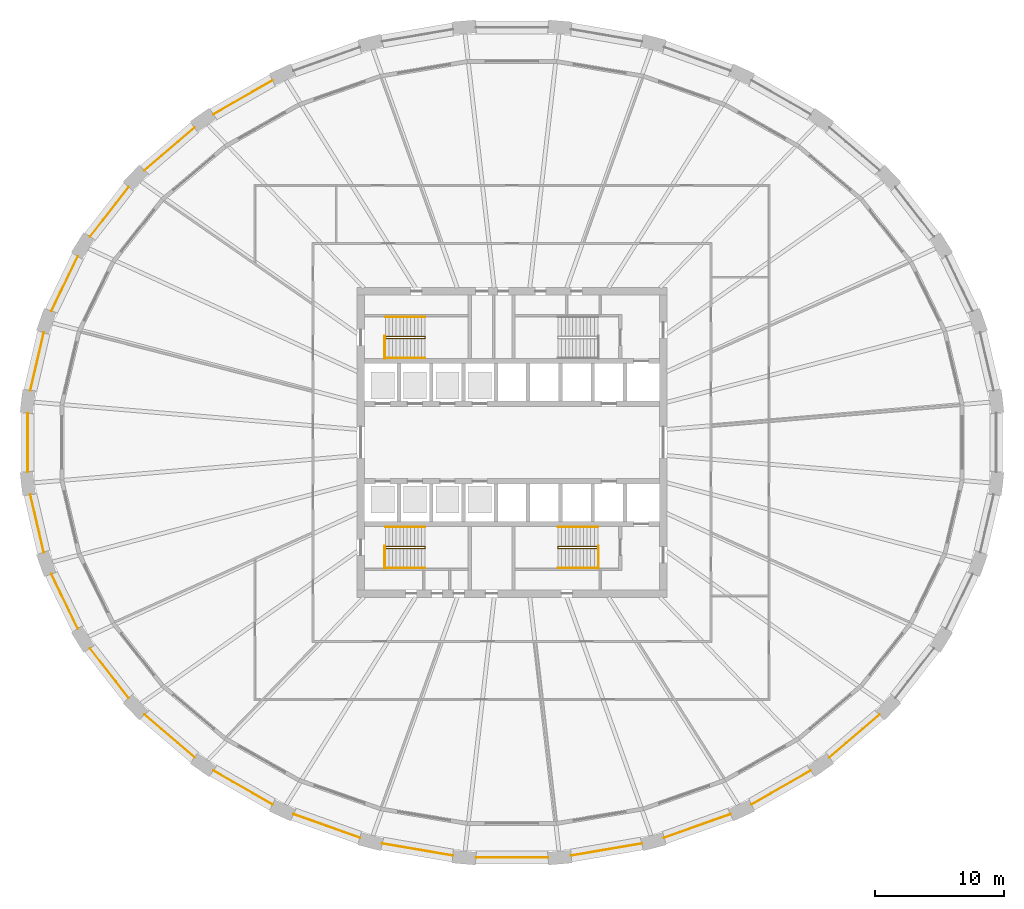
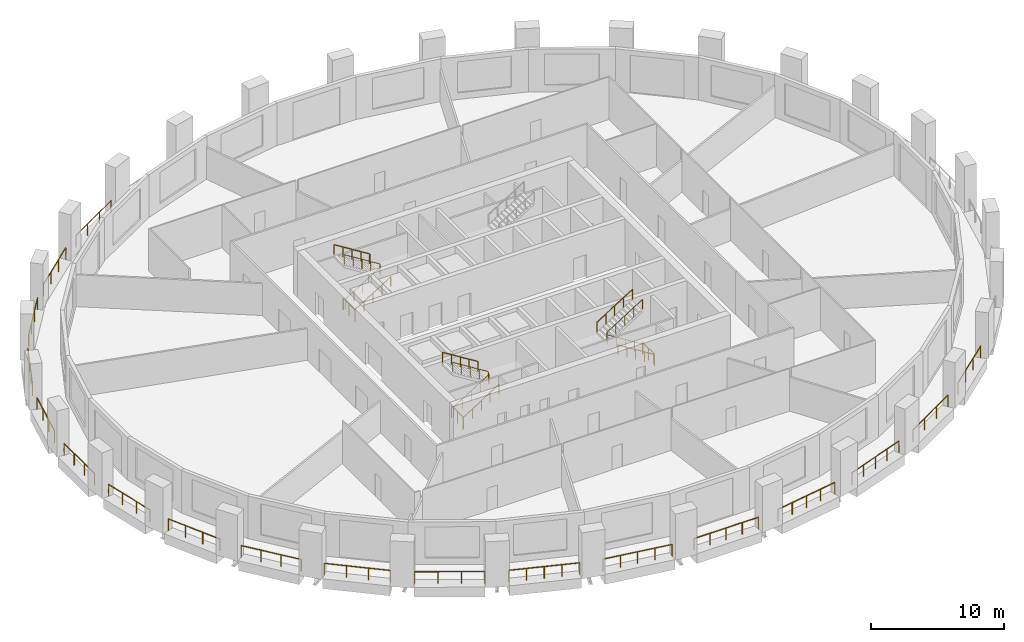
# One storey, part 9 of 11: 30 railings.
"""IFC4 building model written with IfcOpenShell, lengths in metres."""

from ifc_helpers import new_model, si_unit, direction, frame, origin, origin_2d, place, context, subcontext, project, spatial, circle, extrude, material, type_object, element, save


model = new_model("IFC4")

# Units and contexts
model_context = context("Model", 3, precision=1e-05, world=origin(), true_north=direction((0.0, 1.0)))
body_context = subcontext(model_context, "Body", "Model", "MODEL_VIEW")
ifc_project = project(units=[si_unit("LENGTHUNIT", "METRE"), si_unit("AREAUNIT", "SQUARE_METRE"), si_unit("VOLUMEUNIT", "CUBIC_METRE"), si_unit("PLANEANGLEUNIT", "RADIAN"), si_unit("MASSUNIT", "GRAM", prefix="KILO")], contexts=[model_context])

# Site, building, storey
site_placement = place(None, origin())
site = spatial("IfcSite", under=ifc_project, at=site_placement, CompositionType="ELEMENT")
building_placement = place(site_placement, origin())
building = spatial("IfcBuilding", under=site, at=building_placement, Name="Halqa Exchange Tower", CompositionType="ELEMENT")
storey_placement = place(building_placement, frame((0.0, 0.0, 36.10009765625)))
storey = spatial("IfcBuildingStorey", under=building, at=storey_placement, Name="L07", CompositionType="ELEMENT", Elevation=36.10009765625)

# Railings
ifc_material = material(Name="Stainless steel", Category="steel")
railing_type_1 = type_object("IfcRailingType", Name="Guard 1100 stainless steel", PredefinedType="GUARDRAIL", material=ifc_material)
railing_1_placement = place(storey_placement, frame((-18.53271484375, 28.01953125, 0.0)))
element("IfcRailing", 1, at=railing_1_placement, inside=storey, type_object=railing_type_1, Name="Loggia guard 11", PredefinedType="GUARDRAIL", context=body_context, shape_type="SweptSolid", body=[
    extrude(circle(Radius=0.02392578125, at=origin_2d()), frame((0.0, 0.0, 1.076171875), z_axis=(-0.867761260973, -0.496981281292, 0.0), x_axis=(0.496981281292, -0.867761260973, 0.0)), (0.0, 0.0, 1.0), 5.2734375),
    extrude(circle(Radius=0.02099609375, at=origin_2d()), origin(), (0.0, 0.0, 1.0), 1.052001953125),
    extrude(circle(Radius=0.02099609375, at=origin_2d()), frame((-1.525390625, -0.87353515625, 0.0)), (0.0, 0.0, 1.0), 1.052001953125),
    extrude(circle(Radius=0.02099609375, at=origin_2d()), frame((-3.05078125, -1.747314453125, 0.0)), (0.0, 0.0, 1.0), 1.052001953125),
    extrude(circle(Radius=0.02099609375, at=origin_2d()), frame((-4.576171875, -2.620849609375, 0.0)), (0.0, 0.0, 1.0), 1.052001953125),
])
railing_2_placement = place(storey_placement, frame((-24.5732421875, 24.36572265625, 0.0)))
element("IfcRailing", 2, at=railing_2_placement, inside=storey, type_object=railing_type_1, Name="Loggia guard 12", PredefinedType="GUARDRAIL", context=body_context, shape_type="SweptSolid", body=[
    extrude(circle(Radius=0.02392578125, at=origin_2d()), frame((0.0, 0.0, 1.076171875), z_axis=(-0.759259997871, -0.650787412012, 0.0), x_axis=(0.650787412012, -0.759259997871, 0.0)), (0.0, 0.0, 1.0), 5.075439453125),
    extrude(circle(Radius=0.02099609375, at=origin_2d()), origin(), (0.0, 0.0, 1.0), 1.052001953125),
    extrude(circle(Radius=0.02099609375, at=origin_2d()), frame((-1.284423828125, -1.10107421875, 0.0)), (0.0, 0.0, 1.0), 1.052001953125),
    extrude(circle(Radius=0.02099609375, at=origin_2d()), frame((-2.569091796875, -2.201904296875, 0.0)), (0.0, 0.0, 1.0), 1.052001953125),
    extrude(circle(Radius=0.02099609375, at=origin_2d()), frame((-3.853515625, -3.302978515625, 0.0)), (0.0, 0.0, 1.0), 1.052001953125),
])
railing_3_placement = place(storey_placement, frame((-29.663330078125, 19.767333984375, 0.0)))
element("IfcRailing", 3, at=railing_3_placement, inside=storey, type_object=railing_type_1, Name="Loggia guard 13", PredefinedType="GUARDRAIL", context=body_context, shape_type="SweptSolid", body=[
    extrude(circle(Radius=0.02392578125, at=origin_2d()), frame((0.0, 0.0, 1.076171875), z_axis=(-0.614779979903, -0.788698660016, 0.0), x_axis=(0.788698660016, -0.614779979903, 0.0)), (0.0, 0.0, 1.0), 4.87109375),
    extrude(circle(Radius=0.02099609375, at=origin_2d()), origin(), (0.0, 0.0, 1.0), 1.052001953125),
    extrude(circle(Radius=0.02099609375, at=origin_2d()), frame((-0.998291015625, -1.280517578125, 0.0)), (0.0, 0.0, 1.0), 1.052001953125),
    extrude(circle(Radius=0.02099609375, at=origin_2d()), frame((-1.996337890625, -2.561279296875, 0.0)), (0.0, 0.0, 1.0), 1.052001953125),
    extrude(circle(Radius=0.02099609375, at=origin_2d()), frame((-2.99462890625, -3.841796875, 0.0)), (0.0, 0.0, 1.0), 1.052001953125),
])
railing_4_placement = place(storey_placement, frame((-33.602783203125, 14.405517578125, 0.0)))
element("IfcRailing", 4, at=railing_4_placement, inside=storey, type_object=railing_type_1, Name="Loggia guard 14", PredefinedType="GUARDRAIL", context=body_context, shape_type="SweptSolid", body=[
    extrude(circle(Radius=0.02392578125, at=origin_2d()), frame((0.0, 0.0, 1.076171875), z_axis=(-0.435124379728, -0.900370353891, 0.0), x_axis=(0.900370353891, -0.435124379728, 0.0)), (0.0, 0.0, 1.0), 4.69287109375),
    extrude(circle(Radius=0.02099609375, at=origin_2d()), origin(), (0.0, 0.0, 1.0), 1.052001953125),
    extrude(circle(Radius=0.02099609375, at=origin_2d()), frame((-0.6806640625, -1.408447265625, 0.0)), (0.0, 0.0, 1.0), 1.052001953125),
    extrude(circle(Radius=0.02099609375, at=origin_2d()), frame((-1.361328125, -2.81689453125, 0.0)), (0.0, 0.0, 1.0), 1.052001953125),
    extrude(circle(Radius=0.02099609375, at=origin_2d()), frame((-2.0419921875, -4.225341796875, 0.0)), (0.0, 0.0, 1.0), 1.052001953125),
])
railing_5_placement = place(storey_placement, frame((-36.23974609375, 8.4931640625, 0.0)))
element("IfcRailing", 5, at=railing_5_placement, inside=storey, type_object=railing_type_1, Name="Loggia guard 15", PredefinedType="GUARDRAIL", context=body_context, shape_type="SweptSolid", body=[
    extrude(circle(Radius=0.02392578125, at=origin_2d()), frame((0.0, 0.0, 1.076171875), z_axis=(-0.226088077244, -0.974106863403, 0.0), x_axis=(0.974106863403, -0.226088077244, 0.0)), (0.0, 0.0, 1.0), 4.571044921875),
    extrude(circle(Radius=0.02099609375, at=origin_2d()), origin(), (0.0, 0.0, 1.0), 1.052001953125),
    extrude(circle(Radius=0.02099609375, at=origin_2d()), frame((-0.344482421875, -1.484130859375, 0.0)), (0.0, 0.0, 1.0), 1.052001953125),
    extrude(circle(Radius=0.02099609375, at=origin_2d()), frame((-0.68896484375, -2.968505859375, 0.0)), (0.0, 0.0, 1.0), 1.052001953125),
    extrude(circle(Radius=0.02099609375, at=origin_2d()), frame((-1.033447265625, -4.45263671875, 0.0)), (0.0, 0.0, 1.0), 1.052001953125),
])
railing_6_placement = place(storey_placement, frame((-37.4765625, 2.263916015625, 0.0)))
element("IfcRailing", 6, at=railing_6_placement, inside=storey, type_object=railing_type_1, Name="Loggia guard 16", PredefinedType="GUARDRAIL", context=body_context, shape_type="SweptSolid", body=[
    extrude(circle(Radius=0.02392578125, at=origin_2d()), frame((0.0, 0.0, 1.076171875), z_axis=(0.0, -1.0, 0.0), x_axis=(1.0, 0.0, 0.0)), (0.0, 0.0, 1.0), 4.52783203125),
    extrude(circle(Radius=0.02099609375, at=origin_2d()), origin(), (0.0, 0.0, 1.0), 1.052001953125),
    extrude(circle(Radius=0.02099609375, at=origin_2d()), frame((0.0, -1.50927734375, 0.0)), (0.0, 0.0, 1.0), 1.052001953125),
    extrude(circle(Radius=0.02099609375, at=origin_2d()), frame((0.0, -3.0185546875, 0.0)), (0.0, 0.0, 1.0), 1.052001953125),
    extrude(circle(Radius=0.02099609375, at=origin_2d()), frame((0.0, -4.52783203125, 0.0)), (0.0, 0.0, 1.0), 1.052001953125),
])
railing_7_placement = place(storey_placement, frame((-37.273193359375, -4.04052734375, 0.0)))
element("IfcRailing", 7, at=railing_7_placement, inside=storey, type_object=railing_type_1, Name="Loggia guard 17", PredefinedType="GUARDRAIL", context=body_context, shape_type="SweptSolid", body=[
    extrude(circle(Radius=0.02392578125, at=origin_2d()), frame((0.0, 0.0, 1.076171875), z_axis=(0.226088077244, -0.974106863403, 0.0), x_axis=(0.974106863403, 0.226088077244, 0.0)), (0.0, 0.0, 1.0), 4.571044921875),
    extrude(circle(Radius=0.02099609375, at=origin_2d()), origin(), (0.0, 0.0, 1.0), 1.052001953125),
    extrude(circle(Radius=0.02099609375, at=origin_2d()), frame((0.344482421875, -1.484130859375, 0.0)), (0.0, 0.0, 1.0), 1.052001953125),
    extrude(circle(Radius=0.02099609375, at=origin_2d()), frame((0.68896484375, -2.968505859375, 0.0)), (0.0, 0.0, 1.0), 1.052001953125),
    extrude(circle(Radius=0.02099609375, at=origin_2d()), frame((1.033447265625, -4.45263671875, 0.0)), (0.0, 0.0, 1.0), 1.052001953125),
])
railing_8_placement = place(storey_placement, frame((-35.644775390625, -10.18017578125, 0.0)))
element("IfcRailing", 8, at=railing_8_placement, inside=storey, type_object=railing_type_1, Name="Loggia guard 18", PredefinedType="GUARDRAIL", context=body_context, shape_type="SweptSolid", body=[
    extrude(circle(Radius=0.02392578125, at=origin_2d()), frame((0.0, 0.0, 1.076171875), z_axis=(0.435124379728, -0.900370353891, 0.0), x_axis=(0.900370353891, 0.435124379728, 0.0)), (0.0, 0.0, 1.0), 4.69287109375),
    extrude(circle(Radius=0.02099609375, at=origin_2d()), origin(), (0.0, 0.0, 1.0), 1.052001953125),
    extrude(circle(Radius=0.02099609375, at=origin_2d()), frame((0.6806640625, -1.408447265625, 0.0)), (0.0, 0.0, 1.0), 1.052001953125),
    extrude(circle(Radius=0.02099609375, at=origin_2d()), frame((1.361328125, -2.81689453125, 0.0)), (0.0, 0.0, 1.0), 1.052001953125),
    extrude(circle(Radius=0.02099609375, at=origin_2d()), frame((2.0419921875, -4.225341796875, 0.0)), (0.0, 0.0, 1.0), 1.052001953125),
])
railing_9_placement = place(storey_placement, frame((-32.657958984375, -15.925537109375, 0.0)))
element("IfcRailing", 9, at=railing_9_placement, inside=storey, type_object=railing_type_1, Name="Loggia guard 19", PredefinedType="GUARDRAIL", context=body_context, shape_type="SweptSolid", body=[
    extrude(circle(Radius=0.02392578125, at=origin_2d()), frame((0.0, 0.0, 1.076171875), z_axis=(0.614779979903, -0.788698660016, 0.0), x_axis=(0.788698660016, 0.614779979903, 0.0)), (0.0, 0.0, 1.0), 4.87109375),
    extrude(circle(Radius=0.02099609375, at=origin_2d()), origin(), (0.0, 0.0, 1.0), 1.052001953125),
    extrude(circle(Radius=0.02099609375, at=origin_2d()), frame((0.998291015625, -1.280517578125, 0.0)), (0.0, 0.0, 1.0), 1.052001953125),
    extrude(circle(Radius=0.02099609375, at=origin_2d()), frame((1.996337890625, -2.561279296875, 0.0)), (0.0, 0.0, 1.0), 1.052001953125),
    extrude(circle(Radius=0.02099609375, at=origin_2d()), frame((2.99462890625, -3.841796875, 0.0)), (0.0, 0.0, 1.0), 1.052001953125),
])
railing_10_placement = place(storey_placement, frame((-28.4267578125, -21.062744140625, 0.0)))
element("IfcRailing", 10, at=railing_10_placement, inside=storey, type_object=railing_type_1, Name="Loggia guard 20", PredefinedType="GUARDRAIL", context=body_context, shape_type="SweptSolid", body=[
    extrude(circle(Radius=0.02392578125, at=origin_2d()), frame((0.0, 0.0, 1.076171875), z_axis=(0.759259997871, -0.650787412012, 0.0), x_axis=(0.650787412012, 0.759259997871, 0.0)), (0.0, 0.0, 1.0), 5.075439453125),
    extrude(circle(Radius=0.02099609375, at=origin_2d()), origin(), (0.0, 0.0, 1.0), 1.052001953125),
    extrude(circle(Radius=0.02099609375, at=origin_2d()), frame((1.284423828125, -1.10107421875, 0.0)), (0.0, 0.0, 1.0), 1.052001953125),
    extrude(circle(Radius=0.02099609375, at=origin_2d()), frame((2.569091796875, -2.201904296875, 0.0)), (0.0, 0.0, 1.0), 1.052001953125),
    extrude(circle(Radius=0.02099609375, at=origin_2d()), frame((3.853515625, -3.302978515625, 0.0)), (0.0, 0.0, 1.0), 1.052001953125),
])
railing_11_placement = place(storey_placement, frame((-23.10888671875, -25.398681640625, 0.0)))
element("IfcRailing", 11, at=railing_11_placement, inside=storey, type_object=railing_type_1, Name="Loggia guard 21", PredefinedType="GUARDRAIL", context=body_context, shape_type="SweptSolid", body=[
    extrude(circle(Radius=0.02392578125, at=origin_2d()), frame((0.0, 0.0, 1.076171875), z_axis=(0.867761260973, -0.496981281292, 0.0), x_axis=(0.496981281292, 0.867761260973, 0.0)), (0.0, 0.0, 1.0), 5.2734375),
    extrude(circle(Radius=0.02099609375, at=origin_2d()), origin(), (0.0, 0.0, 1.0), 1.052001953125),
    extrude(circle(Radius=0.02099609375, at=origin_2d()), frame((1.525390625, -0.87353515625, 0.0)), (0.0, 0.0, 1.0), 1.052001953125),
    extrude(circle(Radius=0.02099609375, at=origin_2d()), frame((3.05078125, -1.747314453125, 0.0)), (0.0, 0.0, 1.0), 1.052001953125),
    extrude(circle(Radius=0.02099609375, at=origin_2d()), frame((4.576171875, -2.620849609375, 0.0)), (0.0, 0.0, 1.0), 1.052001953125),
])
railing_12_placement = place(storey_placement, frame((-16.90380859375, -28.767822265625, 0.0)))
element("IfcRailing", 12, at=railing_12_placement, inside=storey, type_object=railing_type_1, Name="Loggia guard 22", PredefinedType="GUARDRAIL", context=body_context, shape_type="SweptSolid", body=[
    extrude(circle(Radius=0.02392578125, at=origin_2d()), frame((0.0, 0.0, 1.076171875), z_axis=(0.942367022026, -0.334580925634, 0.0), x_axis=(0.334580925634, 0.942367022026, 0.0)), (0.0, 0.0, 1.0), 5.437744140625),
    extrude(circle(Radius=0.02099609375, at=origin_2d()), origin(), (0.0, 0.0, 1.0), 1.052001953125),
    extrude(circle(Radius=0.02099609375, at=origin_2d()), frame((1.281005859375, -0.454833984375, 0.0)), (0.0, 0.0, 1.0), 1.052001953125),
    extrude(circle(Radius=0.02099609375, at=origin_2d()), frame((2.56201171875, -0.90966796875, 0.0)), (0.0, 0.0, 1.0), 1.052001953125),
    extrude(circle(Radius=0.02099609375, at=origin_2d()), frame((3.84326171875, -1.364501953125, 0.0)), (0.0, 0.0, 1.0), 1.052001953125),
    extrude(circle(Radius=0.02099609375, at=origin_2d()), frame((5.124267578125, -1.8193359375, 0.0)), (0.0, 0.0, 1.0), 1.052001953125),
])
railing_13_placement = place(storey_placement, frame((-10.044189453125, -31.03955078125, 0.0)))
element("IfcRailing", 13, at=railing_13_placement, inside=storey, type_object=railing_type_1, Name="Loggia guard 23", PredefinedType="GUARDRAIL", context=body_context, shape_type="SweptSolid", body=[
    extrude(circle(Radius=0.02392578125, at=origin_2d()), frame((0.0, 0.0, 1.076171875), z_axis=(0.985775416456, -0.168067927667, 0.0), x_axis=(0.168067927667, 0.985775416456, 0.0)), (0.0, 0.0, 1.0), 5.544677734375),
    extrude(circle(Radius=0.02099609375, at=origin_2d()), origin(), (0.0, 0.0, 1.0), 1.052001953125),
    extrude(circle(Radius=0.02099609375, at=origin_2d()), frame((1.366455078125, -0.23291015625, 0.0)), (0.0, 0.0, 1.0), 1.052001953125),
    extrude(circle(Radius=0.02099609375, at=origin_2d()), frame((2.73291015625, -0.4658203125, 0.0)), (0.0, 0.0, 1.0), 1.052001953125),
    extrude(circle(Radius=0.02099609375, at=origin_2d()), frame((4.099365234375, -0.698974609375, 0.0)), (0.0, 0.0, 1.0), 1.052001953125),
    extrude(circle(Radius=0.02099609375, at=origin_2d()), frame((5.4658203125, -0.931884765625, 0.0)), (0.0, 0.0, 1.0), 1.052001953125),
])
railing_14_placement = place(storey_placement, frame((-2.791015625, -32.122802734375, 0.0)))
element("IfcRailing", 14, at=railing_14_placement, inside=storey, type_object=railing_type_1, Name="Loggia guard 24", PredefinedType="GUARDRAIL", context=body_context, shape_type="SweptSolid", body=[
    extrude(circle(Radius=0.02392578125, at=origin_2d()), frame((0.0, 0.0, 1.076171875), z_axis=(1.0, 0.0, 0.0), x_axis=(0.0, 1.0, 0.0)), (0.0, 0.0, 1.0), 5.58203125),
    extrude(circle(Radius=0.02099609375, at=origin_2d()), origin(), (0.0, 0.0, 1.0), 1.052001953125),
    extrude(circle(Radius=0.02099609375, at=origin_2d()), frame((1.3955078125, 0.0, 0.0)), (0.0, 0.0, 1.0), 1.052001953125),
    extrude(circle(Radius=0.02099609375, at=origin_2d()), frame((2.791015625, 0.0, 0.0)), (0.0, 0.0, 1.0), 1.052001953125),
    extrude(circle(Radius=0.02099609375, at=origin_2d()), frame((4.1865234375, 0.0, 0.0)), (0.0, 0.0, 1.0), 1.052001953125),
    extrude(circle(Radius=0.02099609375, at=origin_2d()), frame((5.58203125, 0.0, 0.0)), (0.0, 0.0, 1.0), 1.052001953125),
])
railing_15_placement = place(storey_placement, frame((4.578369140625, -31.971435546875, 0.0)))
element("IfcRailing", 15, at=railing_15_placement, inside=storey, type_object=railing_type_1, Name="Loggia guard 25", PredefinedType="GUARDRAIL", context=body_context, shape_type="SweptSolid", body=[
    extrude(circle(Radius=0.02392578125, at=origin_2d()), frame((0.0, 0.0, 1.076171875), z_axis=(0.985775416456, 0.168067927667, 0.0), x_axis=(-0.168067927667, 0.985775416456, 0.0)), (0.0, 0.0, 1.0), 5.544677734375),
    extrude(circle(Radius=0.02099609375, at=origin_2d()), origin(), (0.0, 0.0, 1.0), 1.052001953125),
    extrude(circle(Radius=0.02099609375, at=origin_2d()), frame((1.366455078125, 0.23291015625, 0.0)), (0.0, 0.0, 1.0), 1.052001953125),
    extrude(circle(Radius=0.02099609375, at=origin_2d()), frame((2.73291015625, 0.4658203125, 0.0)), (0.0, 0.0, 1.0), 1.052001953125),
    extrude(circle(Radius=0.02099609375, at=origin_2d()), frame((4.099365234375, 0.698974609375, 0.0)), (0.0, 0.0, 1.0), 1.052001953125),
    extrude(circle(Radius=0.02099609375, at=origin_2d()), frame((5.4658203125, 0.931884765625, 0.0)), (0.0, 0.0, 1.0), 1.052001953125),
])
railing_16_placement = place(storey_placement, frame((11.779541015625, -30.587158203125, 0.0)))
element("IfcRailing", 16, at=railing_16_placement, inside=storey, type_object=railing_type_1, Name="Loggia guard 26", PredefinedType="GUARDRAIL", context=body_context, shape_type="SweptSolid", body=[
    extrude(circle(Radius=0.02392578125, at=origin_2d()), frame((0.0, 0.0, 1.076171875), z_axis=(0.942367022026, 0.334580925634, 0.0), x_axis=(-0.334580925634, 0.942367022026, 0.0)), (0.0, 0.0, 1.0), 5.437744140625),
    extrude(circle(Radius=0.02099609375, at=origin_2d()), origin(), (0.0, 0.0, 1.0), 1.052001953125),
    extrude(circle(Radius=0.02099609375, at=origin_2d()), frame((1.281005859375, 0.454833984375, 0.0)), (0.0, 0.0, 1.0), 1.052001953125),
    extrude(circle(Radius=0.02099609375, at=origin_2d()), frame((2.56201171875, 0.90966796875, 0.0)), (0.0, 0.0, 1.0), 1.052001953125),
    extrude(circle(Radius=0.02099609375, at=origin_2d()), frame((3.84326171875, 1.364501953125, 0.0)), (0.0, 0.0, 1.0), 1.052001953125),
    extrude(circle(Radius=0.02099609375, at=origin_2d()), frame((5.124267578125, 1.8193359375, 0.0)), (0.0, 0.0, 1.0), 1.052001953125),
])
railing_17_placement = place(storey_placement, frame((18.53271484375, -28.01953125, 0.0)))
element("IfcRailing", 17, at=railing_17_placement, inside=storey, type_object=railing_type_1, Name="Loggia guard 27", PredefinedType="GUARDRAIL", context=body_context, shape_type="SweptSolid", body=[
    extrude(circle(Radius=0.02392578125, at=origin_2d()), frame((0.0, 0.0, 1.076171875), z_axis=(0.867761260973, 0.496981281292, 0.0), x_axis=(-0.496981281292, 0.867761260973, 0.0)), (0.0, 0.0, 1.0), 5.2734375),
    extrude(circle(Radius=0.02099609375, at=origin_2d()), origin(), (0.0, 0.0, 1.0), 1.052001953125),
    extrude(circle(Radius=0.02099609375, at=origin_2d()), frame((1.525390625, 0.87353515625, 0.0)), (0.0, 0.0, 1.0), 1.052001953125),
    extrude(circle(Radius=0.02099609375, at=origin_2d()), frame((3.05078125, 1.747314453125, 0.0)), (0.0, 0.0, 1.0), 1.052001953125),
    extrude(circle(Radius=0.02099609375, at=origin_2d()), frame((4.576171875, 2.620849609375, 0.0)), (0.0, 0.0, 1.0), 1.052001953125),
])
railing_18_placement = place(storey_placement, frame((24.5732421875, -24.36572265625, 0.0)))
element("IfcRailing", 18, at=railing_18_placement, inside=storey, type_object=railing_type_1, Name="Loggia guard 28", PredefinedType="GUARDRAIL", context=body_context, shape_type="SweptSolid", body=[
    extrude(circle(Radius=0.02392578125, at=origin_2d()), frame((0.0, 0.0, 1.076171875), z_axis=(0.759259997871, 0.650787412012, 0.0), x_axis=(-0.650787412012, 0.759259997871, 0.0)), (0.0, 0.0, 1.0), 5.075439453125),
    extrude(circle(Radius=0.02099609375, at=origin_2d()), origin(), (0.0, 0.0, 1.0), 1.052001953125),
    extrude(circle(Radius=0.02099609375, at=origin_2d()), frame((1.284423828125, 1.10107421875, 0.0)), (0.0, 0.0, 1.0), 1.052001953125),
    extrude(circle(Radius=0.02099609375, at=origin_2d()), frame((2.569091796875, 2.201904296875, 0.0)), (0.0, 0.0, 1.0), 1.052001953125),
    extrude(circle(Radius=0.02099609375, at=origin_2d()), frame((3.853515625, 3.302978515625, 0.0)), (0.0, 0.0, 1.0), 1.052001953125),
])
railing_type_2 = type_object("IfcRailingType", Name="Stair handrail 900", PredefinedType="HANDRAIL", material=ifc_material)
railing_19_placement = place(storey_placement, frame((-9.800048828125, 8.06005859375, 0.1748046875)))
element("IfcRailing", 19, at=railing_19_placement, inside=storey, type_object=railing_type_2, Name="Handrail ST1.1", PredefinedType="HANDRAIL", context=body_context, shape_type="SweptSolid", body=[
    extrude(circle(Radius=0.02392578125, at=origin_2d()), frame((0.0, 0.0, 0.8759765625), z_axis=(0.847998304005, 0.0, 0.529998940003), x_axis=(0.0, 1.0, 0.0)), (0.0, 0.0, 1.0), 3.632080078125),
    extrude(circle(Radius=0.02392578125, at=origin_2d()), frame((3.080078125, 0.0, 2.80078125), z_axis=(0.0, 0.595870227118, 0.803080738428), x_axis=(-1.0, 0.0, 0.0)), (0.0, 0.0, 1.0), 0.218017578125),
    extrude(circle(Radius=0.02392578125, at=origin_2d()), frame((3.080078125, 0.1298828125, 2.97607421875), z_axis=(-0.847998304005, 0.0, 0.529998940003), x_axis=(0.0, -1.0, 0.0)), (0.0, 0.0, 1.0), 3.632080078125),
    extrude(circle(Radius=0.02099609375, at=origin_2d()), origin(), (0.0, 0.0, 1.0), 0.851806640625),
    extrude(circle(Radius=0.02099609375, at=origin_2d()), frame((0.77001953125, 0.0, 0.481201171875)), (0.0, 0.0, 1.0), 0.851806640625),
    extrude(circle(Radius=0.02099609375, at=origin_2d()), frame((1.5400390625, 0.0, 0.96240234375)), (0.0, 0.0, 1.0), 0.851806640625),
    extrude(circle(Radius=0.02099609375, at=origin_2d()), frame((2.31005859375, 0.0, 1.44384765625)), (0.0, 0.0, 1.0), 0.851806640625),
    extrude(circle(Radius=0.02099609375, at=origin_2d()), frame((3.080078125, 0.0, 1.925048828125)), (0.0, 0.0, 1.0), 0.851806640625),
    extrude(circle(Radius=0.02099609375, at=origin_2d()), frame((3.080078125, 0.1298828125, 2.10009765625)), (0.0, 0.0, 1.0), 0.851806640625),
    extrude(circle(Radius=0.02099609375, at=origin_2d()), frame((2.31005859375, 0.1298828125, 2.581298828125)), (0.0, 0.0, 1.0), 0.851806640625),
    extrude(circle(Radius=0.02099609375, at=origin_2d()), frame((1.5400390625, 0.1298828125, 3.0625)), (0.0, 0.0, 1.0), 0.851806640625),
    extrude(circle(Radius=0.02099609375, at=origin_2d()), frame((0.77001953125, 0.1298828125, 3.5439453125)), (0.0, 0.0, 1.0), 0.851806640625),
    extrude(circle(Radius=0.02099609375, at=origin_2d()), frame((0.0, 0.1298828125, 4.025146484375)), (0.0, 0.0, 1.0), 0.851806640625),
])
railing_20_placement = place(storey_placement, frame((-9.800048828125, 6.550048828125, 0.1748046875)))
element("IfcRailing", 20, at=railing_20_placement, inside=storey, type_object=railing_type_2, Name="Handrail ST1.2", PredefinedType="HANDRAIL", context=body_context, shape_type="SweptSolid", body=[
    extrude(circle(Radius=0.02392578125, at=origin_2d()), frame((0.0, 0.0, 0.8759765625), z_axis=(0.847998304005, 0.0, 0.529998940003), x_axis=(0.0, 1.0, 0.0)), (0.0, 0.0, 1.0), 3.632080078125),
    extrude(circle(Radius=0.02099609375, at=origin_2d()), origin(), (0.0, 0.0, 1.0), 0.851806640625),
    extrude(circle(Radius=0.02099609375, at=origin_2d()), frame((0.77001953125, 0.0, 0.481201171875)), (0.0, 0.0, 1.0), 0.851806640625),
    extrude(circle(Radius=0.02099609375, at=origin_2d()), frame((1.5400390625, 0.0, 0.96240234375)), (0.0, 0.0, 1.0), 0.851806640625),
    extrude(circle(Radius=0.02099609375, at=origin_2d()), frame((2.31005859375, 0.0, 1.44384765625)), (0.0, 0.0, 1.0), 0.851806640625),
    extrude(circle(Radius=0.02099609375, at=origin_2d()), frame((3.080078125, 0.0, 1.925048828125)), (0.0, 0.0, 1.0), 0.851806640625),
])
railing_21_placement = place(storey_placement, frame((-6.719970703125, 9.699951171875, 2.27490234375)))
element("IfcRailing", 21, at=railing_21_placement, inside=storey, type_object=railing_type_2, Name="Handrail ST1.3", PredefinedType="HANDRAIL", context=body_context, shape_type="SweptSolid", body=[
    extrude(circle(Radius=0.02392578125, at=origin_2d()), frame((0.0, 0.0, 0.8759765625), z_axis=(-0.847998304005, 0.0, 0.529998940003), x_axis=(0.0, -1.0, 0.0)), (0.0, 0.0, 1.0), 3.632080078125),
    extrude(circle(Radius=0.02099609375, at=origin_2d()), origin(), (0.0, 0.0, 1.0), 0.851806640625),
    extrude(circle(Radius=0.02099609375, at=origin_2d()), frame((-0.77001953125, 0.0, 0.481201171875)), (0.0, 0.0, 1.0), 0.851806640625),
    extrude(circle(Radius=0.02099609375, at=origin_2d()), frame((-1.5400390625, 0.0, 0.96240234375)), (0.0, 0.0, 1.0), 0.851806640625),
    extrude(circle(Radius=0.02099609375, at=origin_2d()), frame((-2.31005859375, 0.0, 1.44384765625)), (0.0, 0.0, 1.0), 0.851806640625),
    extrude(circle(Radius=0.02099609375, at=origin_2d()), frame((-3.080078125, 0.0, 1.925048828125)), (0.0, 0.0, 1.0), 0.851806640625),
])
railing_22_placement = place(storey_placement, frame((-9.800048828125, -8.18994140625, 0.1748046875)))
element("IfcRailing", 22, at=railing_22_placement, inside=storey, type_object=railing_type_2, Name="Handrail ST3.1", PredefinedType="HANDRAIL", context=body_context, shape_type="SweptSolid", body=[
    extrude(circle(Radius=0.02392578125, at=origin_2d()), frame((0.0, 0.0, 0.8759765625), z_axis=(0.847998304005, 0.0, 0.529998940003), x_axis=(0.0, 1.0, 0.0)), (0.0, 0.0, 1.0), 3.632080078125),
    extrude(circle(Radius=0.02392578125, at=origin_2d()), frame((3.080078125, 0.0, 2.80078125), z_axis=(0.0, 0.595870227118, 0.803080738428), x_axis=(-1.0, 0.0, 0.0)), (0.0, 0.0, 1.0), 0.218017578125),
    extrude(circle(Radius=0.02392578125, at=origin_2d()), frame((3.080078125, 0.1298828125, 2.97607421875), z_axis=(-0.847998304005, 0.0, 0.529998940003), x_axis=(0.0, -1.0, 0.0)), (0.0, 0.0, 1.0), 3.632080078125),
    extrude(circle(Radius=0.02099609375, at=origin_2d()), origin(), (0.0, 0.0, 1.0), 0.851806640625),
    extrude(circle(Radius=0.02099609375, at=origin_2d()), frame((0.77001953125, 0.0, 0.481201171875)), (0.0, 0.0, 1.0), 0.851806640625),
    extrude(circle(Radius=0.02099609375, at=origin_2d()), frame((1.5400390625, 0.0, 0.96240234375)), (0.0, 0.0, 1.0), 0.851806640625),
    extrude(circle(Radius=0.02099609375, at=origin_2d()), frame((2.31005859375, 0.0, 1.44384765625)), (0.0, 0.0, 1.0), 0.851806640625),
    extrude(circle(Radius=0.02099609375, at=origin_2d()), frame((3.080078125, 0.0, 1.925048828125)), (0.0, 0.0, 1.0), 0.851806640625),
    extrude(circle(Radius=0.02099609375, at=origin_2d()), frame((3.080078125, 0.1298828125, 2.10009765625)), (0.0, 0.0, 1.0), 0.851806640625),
    extrude(circle(Radius=0.02099609375, at=origin_2d()), frame((2.31005859375, 0.1298828125, 2.581298828125)), (0.0, 0.0, 1.0), 0.851806640625),
    extrude(circle(Radius=0.02099609375, at=origin_2d()), frame((1.5400390625, 0.1298828125, 3.0625)), (0.0, 0.0, 1.0), 0.851806640625),
    extrude(circle(Radius=0.02099609375, at=origin_2d()), frame((0.77001953125, 0.1298828125, 3.5439453125)), (0.0, 0.0, 1.0), 0.851806640625),
    extrude(circle(Radius=0.02099609375, at=origin_2d()), frame((0.0, 0.1298828125, 4.025146484375)), (0.0, 0.0, 1.0), 0.851806640625),
])
railing_23_placement = place(storey_placement, frame((-9.800048828125, -9.699951171875, 0.1748046875)))
element("IfcRailing", 23, at=railing_23_placement, inside=storey, type_object=railing_type_2, Name="Handrail ST3.2", PredefinedType="HANDRAIL", context=body_context, shape_type="SweptSolid", body=[
    extrude(circle(Radius=0.02392578125, at=origin_2d()), frame((0.0, 0.0, 0.8759765625), z_axis=(0.847998304005, 0.0, 0.529998940003), x_axis=(0.0, 1.0, 0.0)), (0.0, 0.0, 1.0), 3.632080078125),
    extrude(circle(Radius=0.02099609375, at=origin_2d()), origin(), (0.0, 0.0, 1.0), 0.851806640625),
    extrude(circle(Radius=0.02099609375, at=origin_2d()), frame((0.77001953125, 0.0, 0.481201171875)), (0.0, 0.0, 1.0), 0.851806640625),
    extrude(circle(Radius=0.02099609375, at=origin_2d()), frame((1.5400390625, 0.0, 0.96240234375)), (0.0, 0.0, 1.0), 0.851806640625),
    extrude(circle(Radius=0.02099609375, at=origin_2d()), frame((2.31005859375, 0.0, 1.44384765625)), (0.0, 0.0, 1.0), 0.851806640625),
    extrude(circle(Radius=0.02099609375, at=origin_2d()), frame((3.080078125, 0.0, 1.925048828125)), (0.0, 0.0, 1.0), 0.851806640625),
])
railing_24_placement = place(storey_placement, frame((-6.719970703125, -6.550048828125, 2.27490234375)))
element("IfcRailing", 24, at=railing_24_placement, inside=storey, type_object=railing_type_2, Name="Handrail ST3.3", PredefinedType="HANDRAIL", context=body_context, shape_type="SweptSolid", body=[
    extrude(circle(Radius=0.02392578125, at=origin_2d()), frame((0.0, 0.0, 0.8759765625), z_axis=(-0.847998304005, 0.0, 0.529998940003), x_axis=(0.0, -1.0, 0.0)), (0.0, 0.0, 1.0), 3.632080078125),
    extrude(circle(Radius=0.02099609375, at=origin_2d()), origin(), (0.0, 0.0, 1.0), 0.851806640625),
    extrude(circle(Radius=0.02099609375, at=origin_2d()), frame((-0.77001953125, 0.0, 0.481201171875)), (0.0, 0.0, 1.0), 0.851806640625),
    extrude(circle(Radius=0.02099609375, at=origin_2d()), frame((-1.5400390625, 0.0, 0.96240234375)), (0.0, 0.0, 1.0), 0.851806640625),
    extrude(circle(Radius=0.02099609375, at=origin_2d()), frame((-2.31005859375, 0.0, 1.44384765625)), (0.0, 0.0, 1.0), 0.851806640625),
    extrude(circle(Radius=0.02099609375, at=origin_2d()), frame((-3.080078125, 0.0, 1.925048828125)), (0.0, 0.0, 1.0), 0.851806640625),
])
railing_25_placement = place(storey_placement, frame((6.64990234375, -8.18994140625, 0.1748046875)))
element("IfcRailing", 25, at=railing_25_placement, inside=storey, type_object=railing_type_2, Name="Handrail ST4.1", PredefinedType="HANDRAIL", context=body_context, shape_type="SweptSolid", body=[
    extrude(circle(Radius=0.02392578125, at=origin_2d()), frame((0.0, 0.0, 0.8759765625), z_axis=(-0.847979421464, 0.0, 0.530029150871), x_axis=(0.0, -1.0, 0.0)), (0.0, 0.0, 1.0), 3.632080078125),
    extrude(circle(Radius=0.02392578125, at=origin_2d()), frame((-3.079833984375, 0.0, 2.80078125), z_axis=(0.0, 0.595870227118, 0.803080738428), x_axis=(-1.0, 0.0, 0.0)), (0.0, 0.0, 1.0), 0.218017578125),
    extrude(circle(Radius=0.02392578125, at=origin_2d()), frame((-3.079833984375, 0.1298828125, 2.97607421875), z_axis=(0.847979421464, 0.0, 0.530029150871), x_axis=(0.0, 1.0, 0.0)), (0.0, 0.0, 1.0), 3.632080078125),
    extrude(circle(Radius=0.02099609375, at=origin_2d()), origin(), (0.0, 0.0, 1.0), 0.851806640625),
    extrude(circle(Radius=0.02099609375, at=origin_2d()), frame((-0.77001953125, 0.0, 0.481201171875)), (0.0, 0.0, 1.0), 0.851806640625),
    extrude(circle(Radius=0.02099609375, at=origin_2d()), frame((-1.5400390625, 0.0, 0.96240234375)), (0.0, 0.0, 1.0), 0.851806640625),
    extrude(circle(Radius=0.02099609375, at=origin_2d()), frame((-2.309814453125, 0.0, 1.44384765625)), (0.0, 0.0, 1.0), 0.851806640625),
    extrude(circle(Radius=0.02099609375, at=origin_2d()), frame((-3.079833984375, 0.0, 1.925048828125)), (0.0, 0.0, 1.0), 0.851806640625),
    extrude(circle(Radius=0.02099609375, at=origin_2d()), frame((-3.079833984375, 0.1298828125, 2.10009765625)), (0.0, 0.0, 1.0), 0.851806640625),
    extrude(circle(Radius=0.02099609375, at=origin_2d()), frame((-2.309814453125, 0.1298828125, 2.581298828125)), (0.0, 0.0, 1.0), 0.851806640625),
    extrude(circle(Radius=0.02099609375, at=origin_2d()), frame((-1.5400390625, 0.1298828125, 3.0625)), (0.0, 0.0, 1.0), 0.851806640625),
    extrude(circle(Radius=0.02099609375, at=origin_2d()), frame((-0.77001953125, 0.1298828125, 3.5439453125)), (0.0, 0.0, 1.0), 0.851806640625),
    extrude(circle(Radius=0.02099609375, at=origin_2d()), frame((0.0, 0.1298828125, 4.025146484375)), (0.0, 0.0, 1.0), 0.851806640625),
])
railing_26_placement = place(storey_placement, frame((6.64990234375, -9.699951171875, 0.1748046875)))
element("IfcRailing", 26, at=railing_26_placement, inside=storey, type_object=railing_type_2, Name="Handrail ST4.2", PredefinedType="HANDRAIL", context=body_context, shape_type="SweptSolid", body=[
    extrude(circle(Radius=0.02392578125, at=origin_2d()), frame((0.0, 0.0, 0.8759765625), z_axis=(-0.847979421464, 0.0, 0.530029150871), x_axis=(0.0, -1.0, 0.0)), (0.0, 0.0, 1.0), 3.632080078125),
    extrude(circle(Radius=0.02099609375, at=origin_2d()), origin(), (0.0, 0.0, 1.0), 0.851806640625),
    extrude(circle(Radius=0.02099609375, at=origin_2d()), frame((-0.77001953125, 0.0, 0.481201171875)), (0.0, 0.0, 1.0), 0.851806640625),
    extrude(circle(Radius=0.02099609375, at=origin_2d()), frame((-1.5400390625, 0.0, 0.96240234375)), (0.0, 0.0, 1.0), 0.851806640625),
    extrude(circle(Radius=0.02099609375, at=origin_2d()), frame((-2.309814453125, 0.0, 1.44384765625)), (0.0, 0.0, 1.0), 0.851806640625),
    extrude(circle(Radius=0.02099609375, at=origin_2d()), frame((-3.079833984375, 0.0, 1.925048828125)), (0.0, 0.0, 1.0), 0.851806640625),
])
railing_27_placement = place(storey_placement, frame((3.570068359375, -6.550048828125, 2.27490234375)))
element("IfcRailing", 27, at=railing_27_placement, inside=storey, type_object=railing_type_2, Name="Handrail ST4.3", PredefinedType="HANDRAIL", context=body_context, shape_type="SweptSolid", body=[
    extrude(circle(Radius=0.02392578125, at=origin_2d()), frame((0.0, 0.0, 0.8759765625), z_axis=(0.847979421464, 0.0, 0.530029150871), x_axis=(0.0, 1.0, 0.0)), (0.0, 0.0, 1.0), 3.632080078125),
    extrude(circle(Radius=0.02099609375, at=origin_2d()), origin(), (0.0, 0.0, 1.0), 0.851806640625),
    extrude(circle(Radius=0.02099609375, at=origin_2d()), frame((0.77001953125, 0.0, 0.481201171875)), (0.0, 0.0, 1.0), 0.851806640625),
    extrude(circle(Radius=0.02099609375, at=origin_2d()), frame((1.5400390625, 0.0, 0.96240234375)), (0.0, 0.0, 1.0), 0.851806640625),
    extrude(circle(Radius=0.02099609375, at=origin_2d()), frame((2.309814453125, 0.0, 1.44384765625)), (0.0, 0.0, 1.0), 0.851806640625),
    extrude(circle(Radius=0.02099609375, at=origin_2d()), frame((3.079833984375, 0.0, 1.925048828125)), (0.0, 0.0, 1.0), 0.851806640625),
])
railing_type_3 = type_object("IfcRailingType", Name="Stair well guard 1100", PredefinedType="GUARDRAIL", material=ifc_material)
for number, where, name in (
    (28, (-9.85009765625, 6.5, 0.0), "Guard ST1 well"),
    (29, (-9.85009765625, -9.75, 0.0), "Guard ST3 well"),
    (30, (6.699951171875, -9.75, 0.0), "Guard ST4 well"),
):
    element("IfcRailing", number, at=place(storey_placement, frame(where)), inside=storey, type_object=railing_type_3, Name=name, PredefinedType="GUARDRAIL", context=body_context, shape_type="SweptSolid", body=[
        extrude(circle(Radius=0.02392578125, at=origin_2d()), frame((0.0, 0.0, 1.076171875), z_axis=(0.0, 1.0, 0.0), x_axis=(-1.0, 0.0, 0.0)), (0.0, 0.0, 1.0), 1.75),
        extrude(circle(Radius=0.02099609375, at=origin_2d()), origin(), (0.0, 0.0, 1.0), 1.052001953125),
        extrude(circle(Radius=0.02099609375, at=origin_2d()), frame((0.0, 0.875, 0.0)), (0.0, 0.0, 1.0), 1.052001953125),
        extrude(circle(Radius=0.02099609375, at=origin_2d()), frame((0.0, 1.75, 0.0)), (0.0, 0.0, 1.0), 1.052001953125),
    ])

save(model, "model.ifc")
